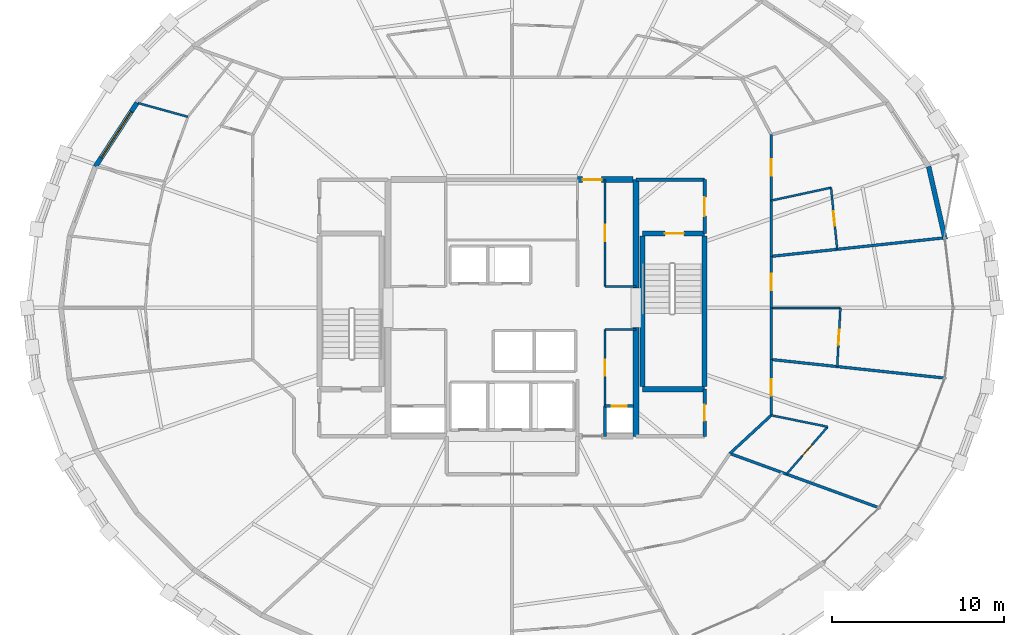
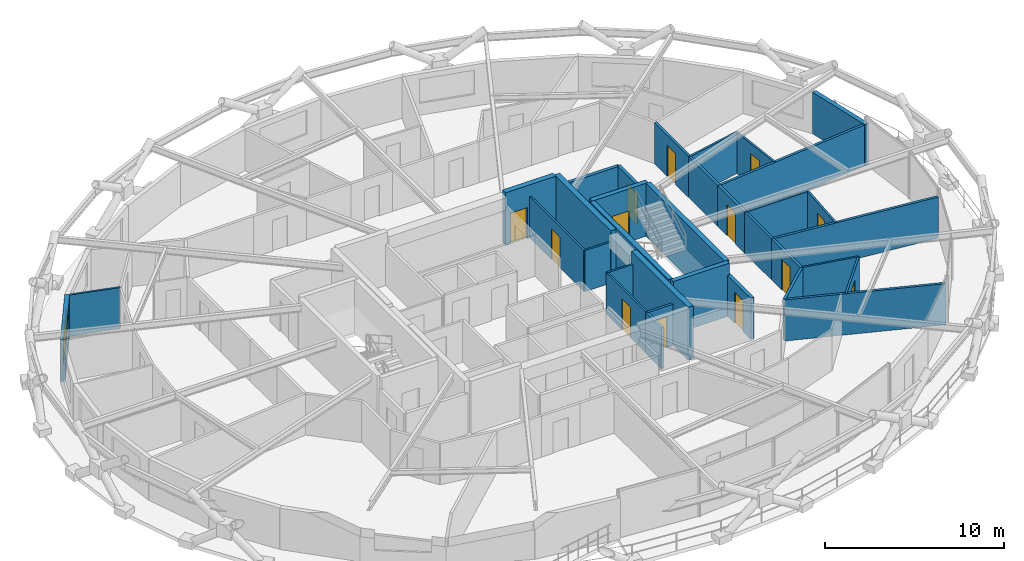
# One storey, part 16 of 19: 34 walls, 13 doors, 1 window, 14 openings.
"""IFC4 building model written with IfcOpenShell, lengths in metres."""

from ifc_helpers import new_model, si_unit, direction, frame, frame_2d, origin, place, context, subcontext, project, spatial, rectangle, extrude, material, layer, layer_set, type_object, element, fill, save


model = new_model("IFC4")

# Units and contexts
model_context = context("Model", 3, precision=1e-05, world=origin(), true_north=direction((0.0, 1.0)))
body_context = subcontext(model_context, "Body", "Model", "MODEL_VIEW")
ifc_project = project(units=[si_unit("LENGTHUNIT", "METRE"), si_unit("AREAUNIT", "SQUARE_METRE"), si_unit("VOLUMEUNIT", "CUBIC_METRE"), si_unit("PLANEANGLEUNIT", "RADIAN"), si_unit("MASSUNIT", "GRAM", prefix="KILO")], contexts=[model_context])

# Site, building, storey
site_placement = place(None, origin())
site = spatial("IfcSite", under=ifc_project, at=site_placement, CompositionType="ELEMENT")
building_placement = place(site_placement, origin())
building = spatial("IfcBuilding", under=site, at=building_placement, Name="Veldorina Hangang Commons", CompositionType="ELEMENT")
storey_placement = place(building_placement, frame((0.0, 0.0, 164.0)))
storey = spatial("IfcBuildingStorey", under=building, at=storey_placement, Name="L42", CompositionType="ELEMENT", Elevation=164.0)

# Walls
ifc_material_1 = material(Name="Concrete C60/75", Category="concrete")
ifc_layer_1 = layer(ifc_material_1, 0.340087890625)
ifc_layer_set_1 = layer_set([ifc_layer_1], Name="Concrete C60/75")
wall_type_1 = type_object("IfcWallType", Name="CW-RC340-C60", PredefinedType="SHEAR", material=ifc_layer_set_1)
for number, where, z_axis, x_axis, name in (
    (1, (39.199951171875, 16.550048828125, 0.0), (0.0, 0.0, 1.0), (0.0, 1.0, 0.0), "L42 E south core shear wall"),
    (2, (39.199951171875, 25.14990234375, 0.0), (0.0, 0.0, 1.0), (0.0, 1.0, 0.0), "L42 E north core shear wall"),
):
    element("IfcWall", number, at=place(storey_placement, frame(where, z_axis=z_axis, x_axis=x_axis)), inside=storey, type_object=wall_type_1, Name=name, PredefinedType="SHEAR", context=body_context, shape_type="SweptSolid", body=[
        extrude(rectangle(XDim=6.300048828125, YDim=0.340087890625, at=frame_2d((3.14990234375, 0.0))), origin(), (0.0, 0.0, 1.0), 3.60009765625),
    ])

# Wall, opening, door
wall_1_placement = place(storey_placement, frame((35.800048828125, 31.449951171875, 0.0), z_axis=(0.0, 0.0, 1.0), x_axis=(1.0, 0.0, 0.0)))
wall_1 = element("IfcWall", 3, at=wall_1_placement, inside=storey, type_object=wall_type_1, Name="L42 north-east core shear wall", PredefinedType="SHEAR", context=body_context, shape_type="SweptSolid", body=[
    extrude(rectangle(XDim=3.22998046875, YDim=0.340087890625, at=frame_2d((1.614990234375, 0.0))), origin(), (0.0, 0.0, 1.0), 3.60009765625),
])
opening_1_placement = place(wall_1_placement, frame((0.300048828125, 0.0, 0.0)))
opening_1 = element("IfcOpeningElement", 4, at=opening_1_placement, cuts=wall_1, Name="Opening D-08", PredefinedType="OPENING", context=body_context, shape_type="SweptSolid", body=[
    extrude(rectangle(XDim=1.10009765625, YDim=2.10009765625, at=frame_2d((0.550048828125, 1.050048828125))), frame((0.0, 0.18017578125, 0.0), z_axis=(0.0, -1.0, 0.0), x_axis=(1.0, 0.0, 0.0)), (0.0, 0.0, 1.0), 0.360107421875),
])
ifc_material_2 = material(Name="Steel Fire-Rated Smoke Seal", Category="steel")
door_type_1 = type_object("IfcDoorType", Name="DR-FIRE-1100", OperationType="SINGLE_SWING_RIGHT", PredefinedType="DOOR", material=ifc_material_2)
door_1_placement = place(opening_1_placement, origin())
door_1 = element("IfcDoor", 5, at=door_1_placement, inside=storey, type_object=door_type_1, Name="L42 central lift lobby north corridor door", OperationType="SINGLE_SWING_LEFT", OverallHeight=2.10009765625, OverallWidth=1.10009765625, PredefinedType="DOOR", context=body_context, shape_type="SweptSolid", body=[
    extrude(rectangle(XDim=1.10009765625, YDim=2.10009765625, at=frame_2d((0.550048828125, 1.050048828125))), frame((0.0, 0.02490234375, 0.0), z_axis=(0.0, -1.0, 0.0), x_axis=(1.0, 0.0, 0.0)), (0.0, 0.0, 1.0), 0.050048828125),
])
fill(opening_1, door_1)

# Wall
ifc_material_3 = material(Name="Stone Roman Travertine", Category="masonry")
ifc_layer_2 = layer(ifc_material_3, 0.280029296875)
ifc_layer_set_2 = layer_set([ifc_layer_2], Name="Stone Roman Travertine")
wall_type_2 = type_object("IfcWallType", Name="EW-TRAV-280", PredefinedType="STANDARD", material=ifc_layer_set_2)
wall_2_placement = place(storey_placement, frame((57.150390625, 27.983642578125, 0.0), z_axis=(0.0, 0.0, 1.0), x_axis=(-0.222033033123, 0.975039143933, 0.0)))
element("IfcWall", 6, at=wall_2_placement, inside=storey, type_object=wall_type_2, Name="L42 travertine facade wall 01", PredefinedType="STANDARD", context=body_context, shape_type="SweptSolid", body=[
    extrude(rectangle(XDim=4.3291015625, YDim=0.280029296875, at=frame_2d((2.16455078125, 0.0))), origin(), (0.0, 0.0, 1.0), 2.820068359375),
])

# Wall, opening, window
wall_3_placement = place(storey_placement, frame((10.230224609375, 35.9111328125, 0.0), z_axis=(0.0, 0.0, 1.0), x_axis=(-0.546604237051, -0.837391072342, 0.0)))
wall_3 = element("IfcWall", 7, at=wall_3_placement, inside=storey, type_object=wall_type_2, Name="L42 travertine facade wall 13", PredefinedType="STANDARD", context=body_context, shape_type="SweptSolid", body=[
    extrude(rectangle(XDim=4.42626953125, YDim=0.280029296875, at=frame_2d((2.213134765625, 0.0))), origin(), (0.0, 0.0, 1.0), 2.820068359375),
])
opening_2_placement = place(wall_3_placement, frame((0.61328125, 0.0, 0.800048828125)))
opening_2 = element("IfcOpeningElement", 8, at=opening_2_placement, cuts=wall_3, Name="Opening W-01", PredefinedType="OPENING", context=body_context, shape_type="SweptSolid", body=[
    extrude(rectangle(XDim=3.199951171875, YDim=1.64990234375, at=frame_2d((1.60009765625, 0.824951171875))), frame((0.0, 0.14990234375, 0.0), z_axis=(0.0, -1.0, 0.0), x_axis=(1.0, 0.0, 0.0)), (0.0, 0.0, 1.0), 0.300048828125),
])
ifc_material_4 = material(Name="Glass Low-E Triple IGU", Category="glass")
window_type = type_object("IfcWindowType", Name="WIN-TWR-3200", PartitioningType="SINGLE_PANEL", PredefinedType="WINDOW", material=ifc_material_4)
window_placement = place(opening_2_placement, origin())
window = element("IfcWindow", 9, at=window_placement, inside=storey, type_object=window_type, Name="L42 facade window 13", OverallHeight=1.64990234375, OverallWidth=3.199951171875, PartitioningType="SINGLE_PANEL", PredefinedType="WINDOW", context=body_context, shape_type="SweptSolid", body=[
    extrude(rectangle(XDim=3.199951171875, YDim=1.64990234375, at=frame_2d((1.60009765625, 0.824951171875))), frame((0.0, 0.030029296875, 0.0), z_axis=(0.0, -1.0, 0.0), x_axis=(1.0, 0.0, 0.0)), (0.0, 0.0, 1.0), 0.06005859375),
])
fill(opening_2, window)

# Walls
ifc_material_5 = material(Name="Concrete C50/60", Category="concrete")
ifc_layer_3 = layer(ifc_material_5, 0.300048828125)
ifc_layer_set_3 = layer_set([ifc_layer_3], Name="Concrete C50/60")
wall_type_3 = type_object("IfcWallType", Name="SW-STAIR-300", PredefinedType="SHEAR", material=ifc_layer_set_3)
for number, where, z_axis, x_axis, name in (
    (10, (43.179931640625, 19.429931640625, 0.0), (0.0, 0.0, 1.0), (0.0, 1.0, 0.0), "L42 ST2 outer stair shear wall"),
    (11, (39.580078125, 19.429931640625, 0.0), (0.0, 0.0, 1.0), (0.0, 1.0, 0.0), "L42 ST2 inner stair shear wall"),
):
    element("IfcWall", number, at=place(storey_placement, frame(where, z_axis=z_axis, x_axis=x_axis)), inside=storey, type_object=wall_type_3, Name=name, PredefinedType="SHEAR", context=body_context, shape_type="SweptSolid", body=[
        extrude(rectangle(XDim=8.739990234375, YDim=0.300048828125, at=frame_2d((4.3701171875, 0.0))), origin(), (0.0, 0.0, 1.0), 3.60009765625),
    ])
wall_4_placement = place(storey_placement, frame((39.580078125, 19.280029296875, 0.0), z_axis=(0.0, 0.0, 1.0), x_axis=(1.0, 0.0, 0.0)))
element("IfcWall", 12, at=wall_4_placement, inside=storey, type_object=wall_type_3, Name="L42 ST2 south stair shear wall", PredefinedType="SHEAR", context=body_context, shape_type="SweptSolid", body=[
    extrude(rectangle(XDim=3.599853515625, YDim=0.300048828125, at=frame_2d((1.7998046875, 0.0))), origin(), (0.0, 0.0, 1.0), 3.60009765625),
])

# Wall, opening, door
wall_5_placement = place(storey_placement, frame((39.580078125, 28.320068359375, 0.0), z_axis=(0.0, 0.0, 1.0), x_axis=(1.0, 0.0, 0.0)))
wall_5 = element("IfcWall", 13, at=wall_5_placement, inside=storey, type_object=wall_type_3, Name="L42 ST2 north stair shear wall", PredefinedType="SHEAR", context=body_context, shape_type="SweptSolid", body=[
    extrude(rectangle(XDim=3.599853515625, YDim=0.300048828125, at=frame_2d((1.7998046875, 0.0))), origin(), (0.0, 0.0, 1.0), 3.60009765625),
])
opening_3_placement = place(wall_5_placement, frame((1.300048828125, 0.0, 0.0)))
opening_3 = element("IfcOpeningElement", 14, at=opening_3_placement, cuts=wall_5, Name="Opening D-08", PredefinedType="OPENING", context=body_context, shape_type="SweptSolid", body=[
    extrude(rectangle(XDim=1.10009765625, YDim=2.10009765625, at=frame_2d((0.550048828125, 1.050048828125))), frame((0.0, 0.16015625, 0.0), z_axis=(0.0, -1.0, 0.0), x_axis=(1.0, 0.0, 0.0)), (0.0, 0.0, 1.0), 0.320068359375),
])
door_2_placement = place(opening_3_placement, origin())
door_2 = element("IfcDoor", 15, at=door_2_placement, inside=storey, type_object=door_type_1, Name="L42 Special Escape Stair ST-2 door", OperationType="SINGLE_SWING_RIGHT", OverallHeight=2.10009765625, OverallWidth=1.10009765625, PredefinedType="DOOR", context=body_context, shape_type="SweptSolid", body=[
    extrude(rectangle(XDim=1.10009765625, YDim=2.10009765625, at=frame_2d((0.550048828125, 1.050048828125))), frame((0.0, 0.02490234375, 0.0), z_axis=(0.0, -1.0, 0.0), x_axis=(1.0, 0.0, 0.0)), (0.0, 0.0, 1.0), 0.050048828125),
])
fill(opening_3, door_2)

# Wall
ifc_material_6 = material(Name="Gypsum Fire-Rated Twin Stud Wall", Category="gypsum")
ifc_layer_4 = layer(ifc_material_6, 0.159912109375)
ifc_layer_set_4 = layer_set([ifc_layer_4], Name="Gypsum Fire-Rated Twin Stud Wall")
wall_type_4 = type_object("IfcWallType", Name="WL-FIRE-160", PredefinedType="SOLIDWALL", material=ifc_layer_set_4)
wall_6_placement = place(storey_placement, frame((37.39990234375, 16.550048828125, 0.0), z_axis=(0.0, 0.0, 1.0), x_axis=(0.0, 1.0, 0.0)))
element("IfcWall", 16, at=wall_6_placement, inside=storey, type_object=wall_type_4, Name="L42 Lift passage SE stub 010", PredefinedType="SOLIDWALL", context=body_context, shape_type="SweptSolid", body=[
    extrude(rectangle(XDim=1.75, YDim=0.159912109375, at=frame_2d((0.875, 0.0))), origin(), (0.0, 0.0, 1.0), 2.800048828125),
])

# Wall, opening, door
wall_7_placement = place(storey_placement, frame((37.39990234375, 18.300048828125, 0.0), z_axis=(0.0, 0.0, 1.0), x_axis=(1.0, 0.0, 0.0)))
wall_7 = element("IfcWall", 17, at=wall_7_placement, inside=storey, type_object=wall_type_4, Name="L42 Plumbing riser wall 036", PredefinedType="SOLIDWALL", context=body_context, shape_type="SweptSolid", body=[
    extrude(rectangle(XDim=1.650146484375, YDim=0.159912109375, at=frame_2d((0.8251953125, 0.0))), origin(), (0.0, 0.0, 1.0), 2.800048828125),
])
opening_4_placement = place(wall_7_placement, frame((0.39501953125, 0.0, 0.0)))
opening_4 = element("IfcOpeningElement", 18, at=opening_4_placement, cuts=wall_7, Name="Opening D-01N", PredefinedType="OPENING", context=body_context, shape_type="SweptSolid", body=[
    extrude(rectangle(XDim=0.860107421875, YDim=2.10009765625, at=frame_2d((0.43017578125, 1.050048828125))), frame((0.0, 0.08984375, 0.0), z_axis=(0.0, -1.0, 0.0), x_axis=(1.0, 0.0, 0.0)), (0.0, 0.0, 1.0), 0.179931640625),
])
ifc_material_7 = material(Name="Timber Fire-Rated Core", Category="wood")
door_type_2 = type_object("IfcDoorType", Name="DR-INT-860", OperationType="SINGLE_SWING_LEFT", PredefinedType="DOOR", material=ifc_material_7)
door_3_placement = place(opening_4_placement, origin())
door_3 = element("IfcDoor", 19, at=door_3_placement, inside=storey, type_object=door_type_2, Name="L42 Plumbing riser access door 013", OperationType="SINGLE_SWING_LEFT", OverallHeight=2.10009765625, OverallWidth=0.860107421875, PredefinedType="TRAPDOOR", context=body_context, shape_type="SweptSolid", body=[
    extrude(rectangle(XDim=0.860107421875, YDim=2.10009765625, at=frame_2d((0.43017578125, 1.050048828125))), frame((0.0, 0.02490234375, 0.0), z_axis=(0.0, -1.0, 0.0), x_axis=(1.0, 0.0, 0.0)), (0.0, 0.0, 1.0), 0.050048828125),
])
fill(opening_4, door_3)

wall_8_placement = place(storey_placement, frame((47.050048828125, 24.0, 0.0), z_axis=(0.0, 0.0, 1.0), x_axis=(0.0, 1.0, 0.0)))
wall_8 = element("IfcWall", 20, at=wall_8_placement, inside=storey, type_object=wall_type_4, Name="L42 U-corridor outer wall 00 044", PredefinedType="SOLIDWALL", context=body_context, shape_type="SweptSolid", body=[
    extrude(rectangle(XDim=2.99365234375, YDim=0.159912109375, at=frame_2d((1.496826171875, 0.0))), origin(), (0.0, 0.0, 1.0), 2.800048828125),
])
opening_5_placement = place(wall_8_placement, frame((1.021728515625, 0.0, 0.0)))
opening_5 = element("IfcOpeningElement", 21, at=opening_5_placement, cuts=wall_8, Name="Opening D-03", PredefinedType="OPENING", context=body_context, shape_type="SweptSolid", body=[
    extrude(rectangle(XDim=0.949951171875, YDim=2.10009765625, at=frame_2d((0.47509765625, 1.050048828125))), frame((0.0, 0.08984375, 0.0), z_axis=(0.0, -1.0, 0.0), x_axis=(1.0, 0.0, 0.0)), (0.0, 0.0, 1.0), 0.179931640625),
])
ifc_material_8 = material(Name="Timber Fire-Rated Entrance Core", Category="wood")
door_type_3 = type_object("IfcDoorType", Name="DR-UNIT-950", OperationType="SINGLE_SWING_RIGHT", PredefinedType="DOOR", material=ifc_material_8)
door_4_placement = place(opening_5_placement, origin())
door_4 = element("IfcDoor", 22, at=door_4_placement, inside=storey, type_object=door_type_3, Name="L42 Studio 3 entrance door 023", OperationType="SINGLE_SWING_LEFT", OverallHeight=2.10009765625, OverallWidth=0.949951171875, PredefinedType="DOOR", context=body_context, shape_type="SweptSolid", body=[
    extrude(rectangle(XDim=0.949951171875, YDim=2.10009765625, at=frame_2d((0.47509765625, 1.050048828125))), frame((0.0, 0.02490234375, 0.0), z_axis=(0.0, -1.0, 0.0), x_axis=(1.0, 0.0, 0.0)), (0.0, 0.0, 1.0), 0.050048828125),
])
fill(opening_5, door_4)

# Wall
wall_9_placement = place(storey_placement, frame((47.050048828125, 26.99365234375, 0.0), z_axis=(0.0, 0.0, 1.0), x_axis=(0.0, 1.0, 0.0)))
element("IfcWall", 23, at=wall_9_placement, inside=storey, type_object=wall_type_4, Name="L42 U-corridor outer wall 01 045", PredefinedType="SOLIDWALL", context=body_context, shape_type="SweptSolid", body=[
    extrude(rectangle(XDim=3.240234375, YDim=0.159912109375, at=frame_2d((1.6201171875, 0.0))), origin(), (0.0, 0.0, 1.0), 2.800048828125),
])

# Wall, opening, door
wall_10_placement = place(storey_placement, frame((47.050048828125, 30.23388671875, 0.0), z_axis=(0.0, 0.0, 1.0), x_axis=(0.0, 1.0, 0.0)))
wall_10 = element("IfcWall", 24, at=wall_10_placement, inside=storey, type_object=wall_type_4, Name="L42 U-corridor outer wall 02 046", PredefinedType="SOLIDWALL", context=body_context, shape_type="SweptSolid", body=[
    extrude(rectangle(XDim=3.822265625, YDim=0.159912109375, at=frame_2d((1.9111328125, 0.0))), origin(), (0.0, 0.0, 1.0), 2.800048828125),
])
opening_6_placement = place(wall_10_placement, frame((1.43603515625, 0.0, 0.0)))
opening_6 = element("IfcOpeningElement", 25, at=opening_6_placement, cuts=wall_10, Name="Opening D-03", PredefinedType="OPENING", context=body_context, shape_type="SweptSolid", body=[
    extrude(rectangle(XDim=0.949951171875, YDim=2.10009765625, at=frame_2d((0.47509765625, 1.050048828125))), frame((0.0, 0.08984375, 0.0), z_axis=(0.0, -1.0, 0.0), x_axis=(1.0, 0.0, 0.0)), (0.0, 0.0, 1.0), 0.179931640625),
])
door_5_placement = place(opening_6_placement, origin())
door_5 = element("IfcDoor", 26, at=door_5_placement, inside=storey, type_object=door_type_3, Name="L42 Studio 4 entrance door 025", OperationType="SINGLE_SWING_LEFT", OverallHeight=2.10009765625, OverallWidth=0.949951171875, PredefinedType="DOOR", context=body_context, shape_type="SweptSolid", body=[
    extrude(rectangle(XDim=0.949951171875, YDim=2.10009765625, at=frame_2d((0.47509765625, 1.050048828125))), frame((0.0, 0.02490234375, 0.0), z_axis=(0.0, -1.0, 0.0), x_axis=(1.0, 0.0, 0.0)), (0.0, 0.0, 1.0), 0.050048828125),
])
fill(opening_6, door_5)

# Wall
wall_11_placement = place(storey_placement, frame((44.64990234375, 15.547607421875, 0.0), z_axis=(0.0, 0.0, 1.0), x_axis=(0.734347936521, 0.678773237633, 0.0)))
element("IfcWall", 27, at=wall_11_placement, inside=storey, type_object=wall_type_4, Name="L42 U-corridor outer wall 29 073", PredefinedType="SOLIDWALL", context=body_context, shape_type="SweptSolid", body=[
    extrude(rectangle(XDim=3.268310546875, YDim=0.159912109375, at=frame_2d((1.63427734375, 0.0))), origin(), (0.0, 0.0, 1.0), 2.800048828125),
])

# Wall, opening, door
wall_12_placement = place(storey_placement, frame((47.050048828125, 17.76611328125, 0.0), z_axis=(0.0, 0.0, 1.0), x_axis=(0.0, 1.0, 0.0)))
wall_12 = element("IfcWall", 28, at=wall_12_placement, inside=storey, type_object=wall_type_4, Name="L42 U-corridor outer wall 30 074", PredefinedType="SOLIDWALL", context=body_context, shape_type="SweptSolid", body=[
    extrude(rectangle(XDim=3.240234375, YDim=0.159912109375, at=frame_2d((1.6201171875, 0.0))), origin(), (0.0, 0.0, 1.0), 2.800048828125),
])
opening_7_placement = place(wall_12_placement, frame((1.145263671875, 0.0, 0.0)))
opening_7 = element("IfcOpeningElement", 29, at=opening_7_placement, cuts=wall_12, Name="Opening D-03", PredefinedType="OPENING", context=body_context, shape_type="SweptSolid", body=[
    extrude(rectangle(XDim=0.949951171875, YDim=2.10009765625, at=frame_2d((0.47509765625, 1.050048828125))), frame((0.0, 0.08984375, 0.0), z_axis=(0.0, -1.0, 0.0), x_axis=(1.0, 0.0, 0.0)), (0.0, 0.0, 1.0), 0.179931640625),
])
door_6_placement = place(opening_7_placement, origin())
door_6 = element("IfcDoor", 30, at=door_6_placement, inside=storey, type_object=door_type_3, Name="L42 Studio 2 entrance door 021", OperationType="SINGLE_SWING_LEFT", OverallHeight=2.10009765625, OverallWidth=0.949951171875, PredefinedType="DOOR", context=body_context, shape_type="SweptSolid", body=[
    extrude(rectangle(XDim=0.949951171875, YDim=2.10009765625, at=frame_2d((0.47509765625, 1.050048828125))), frame((0.0, 0.02490234375, 0.0), z_axis=(0.0, -1.0, 0.0), x_axis=(1.0, 0.0, 0.0)), (0.0, 0.0, 1.0), 0.050048828125),
])
fill(opening_7, door_6)

# Walls
wall_13_placement = place(storey_placement, frame((47.050048828125, 21.00634765625, 0.0), z_axis=(0.0, 0.0, 1.0), x_axis=(0.0, 1.0, 0.0)))
element("IfcWall", 31, at=wall_13_placement, inside=storey, type_object=wall_type_4, Name="L42 U-corridor outer wall 31 075", PredefinedType="SOLIDWALL", context=body_context, shape_type="SweptSolid", body=[
    extrude(rectangle(XDim=2.99365234375, YDim=0.159912109375, at=frame_2d((1.496826171875, 0.0))), origin(), (0.0, 0.0, 1.0), 2.800048828125),
])
wall_14_placement = place(storey_placement, frame((44.64990234375, 15.547607421875, 0.0), z_axis=(0.0, 0.0, 1.0), x_axis=(0.939767737395, -0.341813691579, 0.0)))
element("IfcWall", 32, at=wall_14_placement, inside=storey, type_object=wall_type_4, Name="L42 Unit party wall 29 080", PredefinedType="SOLIDWALL", context=body_context, shape_type="SweptSolid", body=[
    extrude(rectangle(XDim=9.158935546875, YDim=0.159912109375, at=frame_2d((4.57958984375, 0.0))), origin(), (0.0, 0.0, 1.0), 2.800048828125),
])
for number, where, z_axis, x_axis, name in (
    (33, (47.050048828125, 21.00634765625, 0.0), (0.0, 0.0, 1.0), (0.994311076529, -0.106515177757, 0.0), "L42 Unit party wall 31 083"),
    (34, (47.050048828125, 26.99365234375, 0.0), (0.0, 0.0, 1.0), (0.994311076529, 0.106515177757, 0.0), "L42 Unit party wall 01 086"),
):
    element("IfcWall", number, at=place(storey_placement, frame(where, z_axis=z_axis, x_axis=x_axis)), inside=storey, type_object=wall_type_4, Name=name, PredefinedType="SOLIDWALL", context=body_context, shape_type="SweptSolid", body=[
        extrude(rectangle(XDim=10.08740234375, YDim=0.159912109375, at=frame_2d((5.043701171875, 0.0))), origin(), (0.0, 0.0, 1.0), 2.800048828125),
    ])

# Wall, opening, door
ifc_material_9 = material(Name="Concrete Blockwork Fire Wall C30/37", Category="masonry")
ifc_layer_5 = layer(ifc_material_9, 0.199951171875)
ifc_layer_set_5 = layer_set([ifc_layer_5], Name="Concrete Blockwork Fire Wall C30/37")
wall_type_5 = type_object("IfcWallType", Name="WL-FIRE-200", PredefinedType="SOLIDWALL", material=ifc_layer_set_5)
wall_15_placement = place(storey_placement, frame((43.179931640625, 28.320068359375, 0.0), z_axis=(0.0, 0.0, 1.0), x_axis=(0.0, 1.0, 0.0)))
wall_15 = element("IfcWall", 35, at=wall_15_placement, inside=storey, type_object=wall_type_5, Name="L42 East vestibule outer wall 003", PredefinedType="SOLIDWALL", context=body_context, shape_type="SweptSolid", body=[
    extrude(rectangle(XDim=3.1298828125, YDim=0.199951171875, at=frame_2d((1.56494140625, 0.0))), origin(), (0.0, 0.0, 1.0), 2.800048828125),
])
opening_8_placement = place(wall_15_placement, frame((1.014892578125, 0.0, 0.0)))
opening_8 = element("IfcOpeningElement", 36, at=opening_8_placement, cuts=wall_15, Name="Opening D-08", PredefinedType="OPENING", context=body_context, shape_type="SweptSolid", body=[
    extrude(rectangle(XDim=1.10009765625, YDim=2.10009765625, at=frame_2d((0.550048828125, 1.050048828125))), frame((0.0, 0.10986328125, 0.0), z_axis=(0.0, -1.0, 0.0), x_axis=(1.0, 0.0, 0.0)), (0.0, 0.0, 1.0), 0.219970703125),
])
door_7_placement = place(opening_8_placement, origin())
door_7 = element("IfcDoor", 37, at=door_7_placement, inside=storey, type_object=door_type_1, Name="L42 East vestibule east door 002", OperationType="SINGLE_SWING_RIGHT", OverallHeight=2.10009765625, OverallWidth=1.10009765625, PredefinedType="DOOR", context=body_context, shape_type="SweptSolid", body=[
    extrude(rectangle(XDim=1.10009765625, YDim=2.10009765625, at=frame_2d((0.550048828125, 1.050048828125))), frame((0.0, 0.02490234375, 0.0), z_axis=(0.0, -1.0, 0.0), x_axis=(1.0, 0.0, 0.0)), (0.0, 0.0, 1.0), 0.050048828125),
])
fill(opening_8, door_7)

# Wall
wall_16_placement = place(storey_placement, frame((39.199951171875, 31.449951171875, 0.0), z_axis=(0.0, 0.0, 1.0), x_axis=(1.0, 0.0, 0.0)))
element("IfcWall", 38, at=wall_16_placement, inside=storey, type_object=wall_type_5, Name="L42 East vestibule north wall 004", PredefinedType="SOLIDWALL", context=body_context, shape_type="SweptSolid", body=[
    extrude(rectangle(XDim=3.97998046875, YDim=0.199951171875, at=frame_2d((1.989990234375, 0.0))), origin(), (0.0, 0.0, 1.0), 2.800048828125),
])

# Wall, opening, door
wall_17_placement = place(storey_placement, frame((43.179931640625, 16.550048828125, 0.0), z_axis=(0.0, 0.0, 1.0), x_axis=(0.0, 1.0, 0.0)))
wall_17 = element("IfcWall", 39, at=wall_17_placement, inside=storey, type_object=wall_type_5, Name="L42 SE core room outer wall 007", PredefinedType="SOLIDWALL", context=body_context, shape_type="SweptSolid", body=[
    extrude(rectangle(XDim=2.72998046875, YDim=0.199951171875, at=frame_2d((1.364990234375, 0.0))), origin(), (0.0, 0.0, 1.0), 2.800048828125),
])
opening_9_placement = place(wall_17_placement, frame((0.889892578125, 0.0, 0.0)))
opening_9 = element("IfcOpeningElement", 40, at=opening_9_placement, cuts=wall_17, Name="Opening D-02", PredefinedType="OPENING", context=body_context, shape_type="SweptSolid", body=[
    extrude(rectangle(XDim=0.949951171875, YDim=2.10009765625, at=frame_2d((0.47509765625, 1.050048828125))), frame((0.0, 0.10986328125, 0.0), z_axis=(0.0, -1.0, 0.0), x_axis=(1.0, 0.0, 0.0)), (0.0, 0.0, 1.0), 0.219970703125),
])
ifc_material_10 = material(Name="Timber Solid Core Acoustic", Category="wood")
door_type_4 = type_object("IfcDoorType", Name="DR-INT-950", OperationType="SINGLE_SWING_LEFT", PredefinedType="DOOR", material=ifc_material_10)
door_8_placement = place(opening_9_placement, origin())
door_8 = element("IfcDoor", 41, at=door_8_placement, inside=storey, type_object=door_type_4, Name="L42 SE core WC door 004", OperationType="SINGLE_SWING_RIGHT", OverallHeight=2.10009765625, OverallWidth=0.949951171875, PredefinedType="DOOR", context=body_context, shape_type="SweptSolid", body=[
    extrude(rectangle(XDim=0.949951171875, YDim=2.10009765625, at=frame_2d((0.47509765625, 1.050048828125))), frame((0.0, 0.02490234375, 0.0), z_axis=(0.0, -1.0, 0.0), x_axis=(1.0, 0.0, 0.0)), (0.0, 0.0, 1.0), 0.050048828125),
])
fill(opening_9, door_8)

ifc_material_11 = material(Name="Gypsum Acoustic Stud Partition", Category="gypsum")
ifc_layer_6 = layer(ifc_material_11, 0.1201171875)
ifc_layer_set_6 = layer_set([ifc_layer_6], Name="Gypsum Acoustic Stud Partition")
wall_type_6 = type_object("IfcWallType", Name="WL-PART-120", PredefinedType="PARTITIONING", material=ifc_layer_set_6)
wall_18_placement = place(storey_placement, frame((37.39990234375, 25.25, 0.0), z_axis=(0.0, 0.0, 1.0), x_axis=(0.0, 1.0, 0.0)))
wall_18 = element("IfcWall", 42, at=wall_18_placement, inside=storey, type_object=wall_type_6, Name="L42 NE strip lobby wall 040", PredefinedType="PARTITIONING", context=body_context, shape_type="SweptSolid", body=[
    extrude(rectangle(XDim=6.199951171875, YDim=0.1201171875, at=frame_2d((3.10009765625, 0.0))), origin(), (0.0, 0.0, 1.0), 2.800048828125),
])
opening_10_placement = place(wall_18_placement, frame((2.625, 0.0, 0.0)))
opening_10 = element("IfcOpeningElement", 43, at=opening_10_placement, cuts=wall_18, Name="Opening D-02", PredefinedType="OPENING", context=body_context, shape_type="SweptSolid", body=[
    extrude(rectangle(XDim=0.949951171875, YDim=2.10009765625, at=frame_2d((0.47509765625, 1.050048828125))), frame((0.0, 0.070068359375, 0.0), z_axis=(0.0, -1.0, 0.0), x_axis=(1.0, 0.0, 0.0)), (0.0, 0.0, 1.0), 0.14013671875),
])
door_9_placement = place(opening_10_placement, origin())
door_9 = element("IfcDoor", 44, at=door_9_placement, inside=storey, type_object=door_type_4, Name="L42 Comms room door 016", OperationType="SINGLE_SWING_RIGHT", OverallHeight=2.10009765625, OverallWidth=0.949951171875, PredefinedType="DOOR", context=body_context, shape_type="SweptSolid", body=[
    extrude(rectangle(XDim=0.949951171875, YDim=2.10009765625, at=frame_2d((0.47509765625, 1.050048828125))), frame((0.0, 0.02490234375, 0.0), z_axis=(0.0, -1.0, 0.0), x_axis=(1.0, 0.0, 0.0)), (0.0, 0.0, 1.0), 0.050048828125),
])
fill(opening_10, door_9)

# Wall
wall_19_placement = place(storey_placement, frame((37.39990234375, 25.25, 0.0), z_axis=(0.0, 0.0, 1.0), x_axis=(1.0, 0.0, 0.0)))
element("IfcWall", 45, at=wall_19_placement, inside=storey, type_object=wall_type_6, Name="L42 NE strip south return wall 041", PredefinedType="PARTITIONING", context=body_context, shape_type="SweptSolid", body=[
    extrude(rectangle(XDim=1.800048828125, YDim=0.1201171875, at=frame_2d((0.89990234375, 0.0))), origin(), (0.0, 0.0, 1.0), 2.800048828125),
])

# Wall, opening, door
wall_20_placement = place(storey_placement, frame((37.39990234375, 18.300048828125, 0.0), z_axis=(0.0, 0.0, 1.0), x_axis=(0.0, 1.0, 0.0)))
wall_20 = element("IfcWall", 46, at=wall_20_placement, inside=storey, type_object=wall_type_6, Name="L42 SE strip lobby wall 042", PredefinedType="PARTITIONING", context=body_context, shape_type="SweptSolid", body=[
    extrude(rectangle(XDim=4.449951171875, YDim=0.1201171875, at=frame_2d((2.22509765625, 0.0))), origin(), (0.0, 0.0, 1.0), 2.800048828125),
])
opening_11_placement = place(wall_20_placement, frame((1.75, 0.0, 0.0)))
opening_11 = element("IfcOpeningElement", 47, at=opening_11_placement, cuts=wall_20, Name="Opening D-02", PredefinedType="OPENING", context=body_context, shape_type="SweptSolid", body=[
    extrude(rectangle(XDim=0.949951171875, YDim=2.10009765625, at=frame_2d((0.47509765625, 1.050048828125))), frame((0.0, 0.070068359375, 0.0), z_axis=(0.0, -1.0, 0.0), x_axis=(1.0, 0.0, 0.0)), (0.0, 0.0, 1.0), 0.14013671875),
])
door_10_placement = place(opening_11_placement, origin())
door_10 = element("IfcDoor", 48, at=door_10_placement, inside=storey, type_object=door_type_4, Name="L42 BMS closet door 017", OperationType="SINGLE_SWING_LEFT", OverallHeight=2.10009765625, OverallWidth=0.949951171875, PredefinedType="DOOR", context=body_context, shape_type="SweptSolid", body=[
    extrude(rectangle(XDim=0.949951171875, YDim=2.10009765625, at=frame_2d((0.47509765625, 1.050048828125))), frame((0.0, 0.02490234375, 0.0), z_axis=(0.0, -1.0, 0.0), x_axis=(1.0, 0.0, 0.0)), (0.0, 0.0, 1.0), 0.050048828125),
])
fill(opening_11, door_10)

# Wall
wall_21_placement = place(storey_placement, frame((37.39990234375, 22.75, 0.0), z_axis=(0.0, 0.0, 1.0), x_axis=(1.0, 0.0, 0.0)))
element("IfcWall", 49, at=wall_21_placement, inside=storey, type_object=wall_type_6, Name="L42 SE strip north return wall 043", PredefinedType="PARTITIONING", context=body_context, shape_type="SweptSolid", body=[
    extrude(rectangle(XDim=1.800048828125, YDim=0.1201171875, at=frame_2d((0.89990234375, 0.0))), origin(), (0.0, 0.0, 1.0), 2.800048828125),
])

# Wall, opening, door
wall_22_placement = place(storey_placement, frame((47.938720703125, 14.351318359375, 0.0), z_axis=(0.0, 0.0, 1.0), x_axis=(0.655979420757, 0.754778775233, 0.0)))
wall_22 = element("IfcWall", 50, at=wall_22_placement, inside=storey, type_object=wall_type_6, Name="L42 Studio 2 bath front wall 081", PredefinedType="PARTITIONING", context=body_context, shape_type="SweptSolid", body=[
    extrude(rectangle(XDim=3.639892578125, YDim=0.1201171875, at=frame_2d((1.81982421875, 0.0))), origin(), (0.0, 0.0, 1.0), 2.800048828125),
])
opening_12_placement = place(wall_22_placement, frame((1.389892578125, 0.0, 0.0)))
opening_12 = element("IfcOpeningElement", 51, at=opening_12_placement, cuts=wall_22, Name="Opening D-01", PredefinedType="OPENING", context=body_context, shape_type="SweptSolid", body=[
    extrude(rectangle(XDim=0.860107421875, YDim=2.10009765625, at=frame_2d((0.43017578125, 1.050048828125))), frame((0.0, 0.070068359375, 0.0), z_axis=(0.0, -1.0, 0.0), x_axis=(1.0, 0.0, 0.0)), (0.0, 0.0, 1.0), 0.14013671875),
])
ifc_material_12 = material(Name="Timber Moisture-Resistant Core", Category="wood")
door_type_5 = type_object("IfcDoorType", Name="DR-WET-860", OperationType="SINGLE_SWING_LEFT", PredefinedType="DOOR", material=ifc_material_12)
door_11_placement = place(opening_12_placement, origin())
door_11 = element("IfcDoor", 52, at=door_11_placement, inside=storey, type_object=door_type_5, Name="L42 Studio 2 bathroom door 020", OperationType="SINGLE_SWING_RIGHT", OverallHeight=2.10009765625, OverallWidth=0.860107421875, PredefinedType="DOOR", context=body_context, shape_type="SweptSolid", body=[
    extrude(rectangle(XDim=0.860107421875, YDim=2.10009765625, at=frame_2d((0.43017578125, 1.050048828125))), frame((0.0, 0.02490234375, 0.0), z_axis=(0.0, -1.0, 0.0), x_axis=(1.0, 0.0, 0.0)), (0.0, 0.0, 1.0), 0.050048828125),
])
fill(opening_12, door_11)

# Wall
wall_23_placement = place(storey_placement, frame((47.050048828125, 17.76611328125, 0.0), z_axis=(0.0, 0.0, 1.0), x_axis=(0.97987231708, -0.199625254463, 0.0)))
element("IfcWall", 53, at=wall_23_placement, inside=storey, type_object=wall_type_6, Name="L42 Studio 2 bath side wall 082", PredefinedType="PARTITIONING", context=body_context, shape_type="SweptSolid", body=[
    extrude(rectangle(XDim=3.34375, YDim=0.1201171875, at=frame_2d((1.671875, 0.0))), origin(), (0.0, 0.0, 1.0), 2.800048828125),
])

# Wall, opening, door
wall_24_placement = place(storey_placement, frame((50.88037109375, 20.59619140625, 0.0), z_axis=(0.0, 0.0, 1.0), x_axis=(0.054859165273, 0.998494102129, 0.0)))
wall_24 = element("IfcWall", 54, at=wall_24_placement, inside=storey, type_object=wall_type_6, Name="L42 Studio 3 bath front wall 084", PredefinedType="PARTITIONING", context=body_context, shape_type="SweptSolid", body=[
    extrude(rectangle(XDim=3.408935546875, YDim=0.1201171875, at=frame_2d((1.70458984375, 0.0))), origin(), (0.0, 0.0, 1.0), 2.800048828125),
])
opening_13_placement = place(wall_24_placement, frame((1.2744140625, 0.0, 0.0)))
opening_13 = element("IfcOpeningElement", 55, at=opening_13_placement, cuts=wall_24, Name="Opening D-01", PredefinedType="OPENING", context=body_context, shape_type="SweptSolid", body=[
    extrude(rectangle(XDim=0.860107421875, YDim=2.10009765625, at=frame_2d((0.43017578125, 1.050048828125))), frame((0.0, 0.070068359375, 0.0), z_axis=(0.0, -1.0, 0.0), x_axis=(1.0, 0.0, 0.0)), (0.0, 0.0, 1.0), 0.14013671875),
])
door_12_placement = place(opening_13_placement, origin())
door_12 = element("IfcDoor", 56, at=door_12_placement, inside=storey, type_object=door_type_5, Name="L42 Studio 3 bathroom door 022", OperationType="SINGLE_SWING_RIGHT", OverallHeight=2.10009765625, OverallWidth=0.860107421875, PredefinedType="DOOR", context=body_context, shape_type="SweptSolid", body=[
    extrude(rectangle(XDim=0.860107421875, YDim=2.10009765625, at=frame_2d((0.43017578125, 1.050048828125))), frame((0.0, 0.02490234375, 0.0), z_axis=(0.0, -1.0, 0.0), x_axis=(1.0, 0.0, 0.0)), (0.0, 0.0, 1.0), 0.050048828125),
])
fill(opening_13, door_12)

# Wall
wall_25_placement = place(storey_placement, frame((47.050048828125, 24.0, 0.0), z_axis=(0.0, 0.0, 1.0), x_axis=(1.0, 0.0, 0.0)))
element("IfcWall", 57, at=wall_25_placement, inside=storey, type_object=wall_type_6, Name="L42 Studio 3 bath side wall 085", PredefinedType="PARTITIONING", context=body_context, shape_type="SweptSolid", body=[
    extrude(rectangle(XDim=4.017333984375, YDim=0.1201171875, at=frame_2d((2.0087890625, 0.0))), origin(), (0.0, 0.0, 1.0), 2.800048828125),
])

# Wall, opening, door
wall_26_placement = place(storey_placement, frame((50.88037109375, 27.40380859375, 0.0), z_axis=(0.0, 0.0, 1.0), x_axis=(-0.099376023533, 0.995049951483, 0.0)))
wall_26 = element("IfcWall", 58, at=wall_26_placement, inside=storey, type_object=wall_type_6, Name="L42 Studio 4 bath front wall 087", PredefinedType="PARTITIONING", context=body_context, shape_type="SweptSolid", body=[
    extrude(rectangle(XDim=3.5966796875, YDim=0.1201171875, at=frame_2d((1.79833984375, 0.0))), origin(), (0.0, 0.0, 1.0), 2.800048828125),
])
opening_14_placement = place(wall_26_placement, frame((1.368408203125, 0.0, 0.0)))
opening_14 = element("IfcOpeningElement", 59, at=opening_14_placement, cuts=wall_26, Name="Opening D-01", PredefinedType="OPENING", context=body_context, shape_type="SweptSolid", body=[
    extrude(rectangle(XDim=0.860107421875, YDim=2.10009765625, at=frame_2d((0.43017578125, 1.050048828125))), frame((0.0, 0.070068359375, 0.0), z_axis=(0.0, -1.0, 0.0), x_axis=(1.0, 0.0, 0.0)), (0.0, 0.0, 1.0), 0.14013671875),
])
door_13_placement = place(opening_14_placement, origin())
door_13 = element("IfcDoor", 60, at=door_13_placement, inside=storey, type_object=door_type_5, Name="L42 Studio 4 bathroom door 024", OperationType="SINGLE_SWING_RIGHT", OverallHeight=2.10009765625, OverallWidth=0.860107421875, PredefinedType="DOOR", context=body_context, shape_type="SweptSolid", body=[
    extrude(rectangle(XDim=0.860107421875, YDim=2.10009765625, at=frame_2d((0.43017578125, 1.050048828125))), frame((0.0, 0.02490234375, 0.0), z_axis=(0.0, -1.0, 0.0), x_axis=(1.0, 0.0, 0.0)), (0.0, 0.0, 1.0), 0.050048828125),
])
fill(opening_14, door_13)

# Walls
wall_27_placement = place(storey_placement, frame((47.050048828125, 30.23388671875, 0.0), z_axis=(0.0, 0.0, 1.0), x_axis=(0.977537148189, 0.210763193919, 0.0)))
element("IfcWall", 61, at=wall_27_placement, inside=storey, type_object=wall_type_6, Name="L42 Studio 4 bath side wall 088", PredefinedType="PARTITIONING", context=body_context, shape_type="SweptSolid", body=[
    extrude(rectangle(XDim=3.552734375, YDim=0.1201171875, at=frame_2d((1.7763671875, 0.0))), origin(), (0.0, 0.0, 1.0), 2.800048828125),
])
wall_28_placement = place(storey_placement, frame((13.18701171875, 35.094970703125, 0.0), z_axis=(0.0, 0.0, 1.0), x_axis=(-0.96395827654, 0.266053455323, 0.0)))
element("IfcWall", 62, at=wall_28_placement, inside=storey, type_object=wall_type_6, Name="L42 Cluster 9 bed divider 1 106", PredefinedType="PARTITIONING", context=body_context, shape_type="SweptSolid", body=[
    extrude(rectangle(XDim=3.01708984375, YDim=0.1201171875, at=frame_2d((1.508544921875, 0.0))), origin(), (0.0, 0.0, 1.0), 2.800048828125),
])

save(model, "model.ifc")
